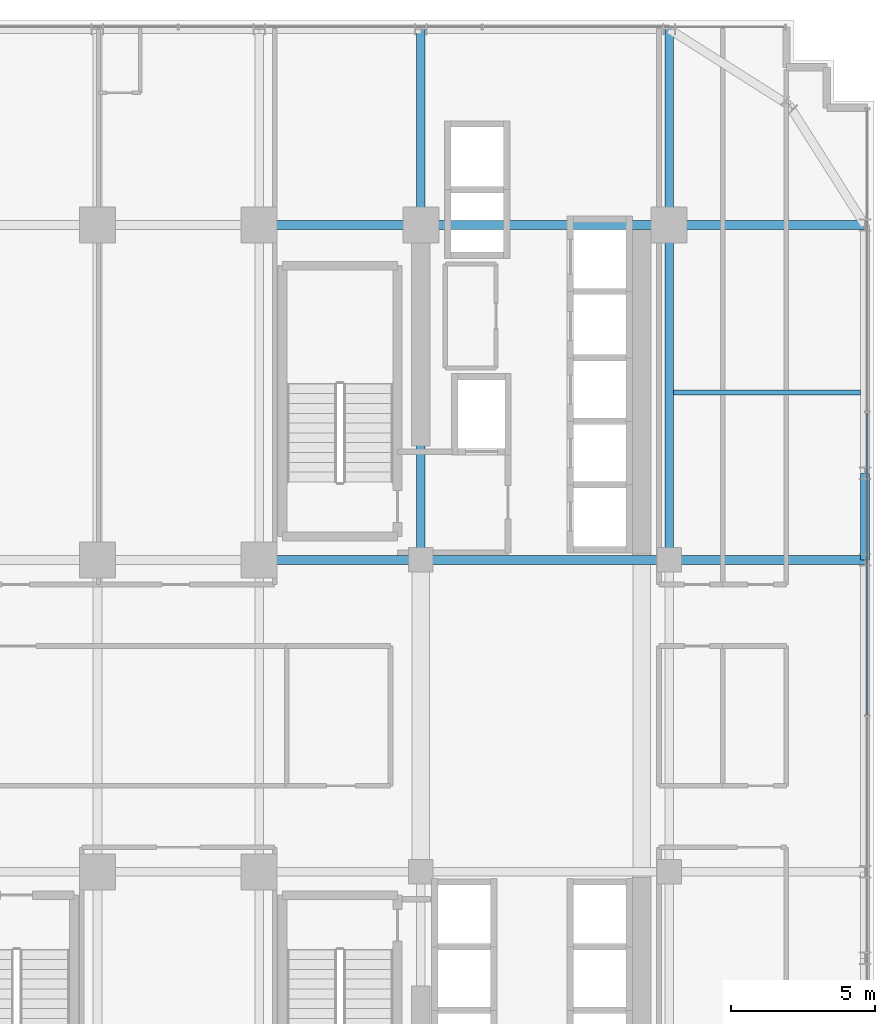
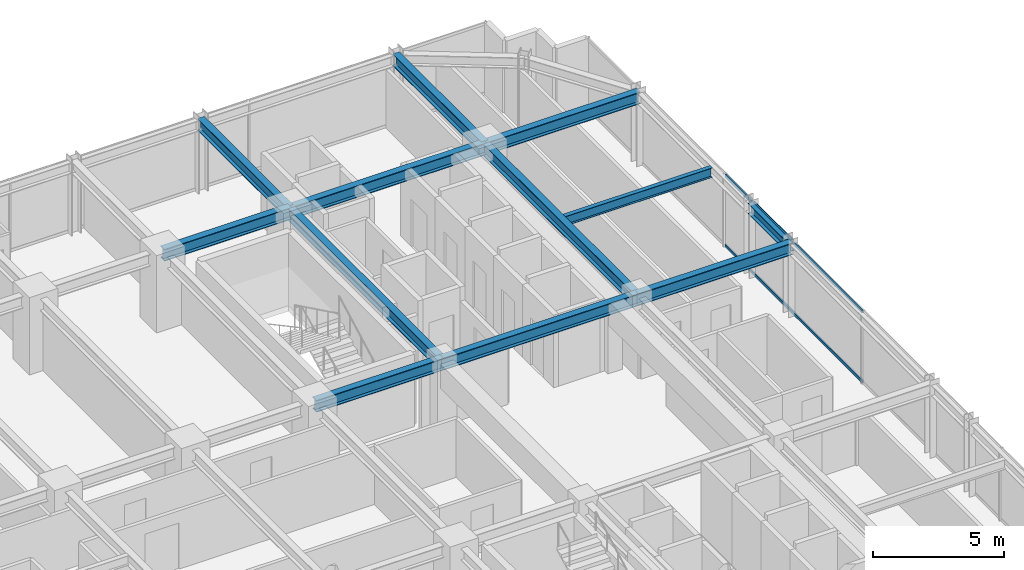
# One storey, part 21 of 32: 12 beams, 2 members, 1 element without a shape of its own.
"""IFC4 building model written with IfcOpenShell, lengths in metres."""

import ifcopenshell
import ifcopenshell.guid

model = None  # the IFC model being written
_history = None  # IfcOwnerHistory: only IFC2X3 demands one
_inside = {}  # id of a spatial element -> (the spatial element, [elements in it])
_under = {}  # id of a project, library or spatial element -> (it, [spatial elements below it])
_declared = {}  # id of a project -> (the project, [libraries it declares])
_typed = {}  # id of a type object -> (the type object, [elements of that type])
_made_of = {}  # id of a material, layer set ... -> (it, [elements and type objects made of it])


def new_model(schema):
    """Start an empty IFC model of exactly this schema.

    Asked for "IFC4X3", IfcOpenShell would pick the latest addendum, in which some entities
    have other attributes; the version numbers below select the first issue.
    IFC2X3 requires an IfcOwnerHistory on every rooted entity: one is made here for all.
    """
    global model, _history
    if schema == "IFC4X3":
        model = ifcopenshell.file(schema_version=(4, 3, 0, 0))
    else:
        model = ifcopenshell.file(schema=schema)
    _inside.clear()
    _under.clear()
    _declared.clear()
    _typed.clear()
    _made_of.clear()
    _history = None
    if model.schema == "IFC2X3":
        org = make("IfcOrganization", Name="unknown")
        user = make(
            "IfcPersonAndOrganization",
            ThePerson=make("IfcPerson", FamilyName="unknown"),
            TheOrganization=org,
        )
        app = make(
            "IfcApplication",
            ApplicationDeveloper=org,
            Version="unknown",
            ApplicationFullName="unknown",
            ApplicationIdentifier="unknown",
        )
        _history = make(
            "IfcOwnerHistory",
            OwningUser=user,
            OwningApplication=app,
            ChangeAction="ADDED",
            CreationDate=0,
        )
    return model


def make(cls, **values):
    """One entity of the class cls with the attributes given. An attribute that is None is left unset."""
    return model.create_entity(
        cls, **{name: value for name, value in values.items() if value is not None}
    )


def rooted(cls, **values):
    """An entity with a GlobalId (a new one), such as an element, a storey or a relation."""
    return make(cls, GlobalId=ifcopenshell.guid.new(), OwnerHistory=_history, **values)


def si_unit(unit_type, name, prefix=None):
    """IfcSIUnit, for example si_unit("LENGTHUNIT", "METRE", prefix="MILLI")."""
    return make("IfcSIUnit", UnitType=unit_type, Prefix=prefix, Name=name)


def assignment(units):
    """IfcUnitAssignment: the units of a project."""
    return None if units is None else make("IfcUnitAssignment", Units=units)


def point(xyz):
    """IfcCartesianPoint."""
    return None if xyz is None else make("IfcCartesianPoint", Coordinates=xyz)


def direction(xyz):
    """IfcDirection."""
    return None if xyz is None else make("IfcDirection", DirectionRatios=xyz)


def frame(location, z_axis=None, x_axis=None):
    """IfcAxis2Placement3D, a coordinate frame: its origin and axes. An axis left out is left unset."""
    return make(
        "IfcAxis2Placement3D",
        Location=point(location),
        Axis=direction(z_axis),
        RefDirection=direction(x_axis),
    )


def frame_2d(location, x_axis=None):
    """IfcAxis2Placement2D, a coordinate frame in the plane: its origin and x axis."""
    return make(
        "IfcAxis2Placement2D", Location=point(location), RefDirection=direction(x_axis)
    )


def origin():
    """The frame at (0, 0, 0) with its axes left unset."""
    return frame((0.0, 0.0, 0.0))


def origin_2d():
    """The frame at (0, 0) in the plane with its x axis left unset."""
    return frame_2d((0.0, 0.0))


def place(relative_to, where):
    """IfcLocalPlacement: puts the frame where relative to a parent placement (None: the world)."""
    return make(
        "IfcLocalPlacement", PlacementRelTo=relative_to, RelativePlacement=where
    )


def context(
    kind, dimensions, precision=None, world=None, true_north=None, identifier=None
):
    """IfcGeometricRepresentationContext, for example the 3D "Model" context."""
    return make(
        "IfcGeometricRepresentationContext",
        ContextIdentifier=identifier,
        ContextType=kind,
        CoordinateSpaceDimension=dimensions,
        Precision=precision,
        WorldCoordinateSystem=world,
        TrueNorth=true_north,
    )


def subcontext(parent, identifier, kind, view, scale=None):
    """IfcGeometricRepresentationSubContext, for example "Body" below "Model"."""
    return make(
        "IfcGeometricRepresentationSubContext",
        ContextIdentifier=identifier,
        ContextType=kind,
        ParentContext=parent,
        TargetScale=scale,
        TargetView=view,
    )


def project(units=None, contexts=None):
    """IfcProject with its units and contexts."""
    return rooted(
        "IfcProject",
        Name="project",
        RepresentationContexts=contexts,
        UnitsInContext=assignment(units),
    )


def spatial(cls, under=None, at=None, **own):
    """A site, building, storey or space (cls), placed at a placement, below another one or the project."""
    s = rooted(cls, ObjectPlacement=at, **own)
    if under is not None:
        _under.setdefault(under.id(), (under, []))[1].append(s)
    return s


def profile(cls, at=None, kind="AREA", **sizes):
    """A parametric profile (cls). Its sizes go by their IFC names, for example OverallWidth=200.0."""
    return make(cls, ProfileType=kind, Position=at, **sizes)


def hollow_rectangle(**sizes):
    """IfcRectangleHollowProfileDef."""
    return profile("IfcRectangleHollowProfileDef", **sizes)


def i_section(**sizes):
    """IfcIShapeProfileDef."""
    return profile("IfcIShapeProfileDef", **sizes)


def extrude(swept, where, along, depth):
    """IfcExtrudedAreaSolid: the profile swept, set in the frame where, extruded along a direction by depth."""
    return make(
        "IfcExtrudedAreaSolid",
        SweptArea=swept,
        Position=where,
        ExtrudedDirection=direction(along),
        Depth=depth,
    )


def shape(context_of_items, identifier, shape_type, items):
    """IfcShapeRepresentation: the items that make up one representation, for example the "Body"."""
    return make(
        "IfcShapeRepresentation",
        ContextOfItems=context_of_items,
        RepresentationIdentifier=identifier,
        RepresentationType=shape_type,
        Items=items,
    )


def source(mapping_origin, context_of_items, identifier, shape_type, items):
    """IfcRepresentationMap: a shape defined once, which mapped items show again and again."""
    return make(
        "IfcRepresentationMap",
        MappingOrigin=mapping_origin,
        MappedRepresentation=shape(context_of_items, identifier, shape_type, items),
    )


def transform(
    local_origin,
    x_axis=None,
    y_axis=None,
    z_axis=None,
    scale=None,
    scale2=None,
    scale3=None,
    uniform=True,
):
    """IfcCartesianTransformationOperator3D, or its non-uniform kind. x_axis, y_axis, z_axis: its Axis1, 2, 3."""
    if uniform:
        return make(
            "IfcCartesianTransformationOperator3D",
            Axis1=direction(x_axis),
            Axis2=direction(y_axis),
            LocalOrigin=point(local_origin),
            Scale=scale,
            Axis3=direction(z_axis),
        )
    return make(
        "IfcCartesianTransformationOperator3DnonUniform",
        Axis1=direction(x_axis),
        Axis2=direction(y_axis),
        LocalOrigin=point(local_origin),
        Scale=scale,
        Axis3=direction(z_axis),
        Scale2=scale2,
        Scale3=scale3,
    )


def mapped(mapping_source, mapping_target):
    """IfcMappedItem: shows the shape of a source again, moved by a transform."""
    return make(
        "IfcMappedItem", MappingSource=mapping_source, MappingTarget=mapping_target
    )


def material(Name=None, Category=None):
    """IfcMaterial."""
    return make("IfcMaterial", Name=Name, Category=Category)


def material_profile(
    of_material, cross_section, Name=None, Category=None, Priority=None
):
    """IfcMaterialProfile: a cross section and its material."""
    return make(
        "IfcMaterialProfile",
        Name=Name,
        Material=of_material,
        Profile=cross_section,
        Priority=Priority,
        Category=Category,
    )


def profile_set(profiles, Name=None, composite=None):
    """IfcMaterialProfileSet."""
    return make(
        "IfcMaterialProfileSet",
        Name=Name,
        MaterialProfiles=profiles,
        CompositeProfile=composite,
    )


def made_of(thing, what):
    """Note that an element or type object is made of a material, layer set ...; save() writes the relation."""
    if what is not None:
        _made_of.setdefault(what.id(), (what, []))[1].append(thing)
    return thing


def type_object(cls, material=None, **own):
    """A type object (cls), such as IfcWallType, which elements share."""
    return made_of(rooted(cls, **own), material)


def element(
    cls,
    number,
    at=None,
    inside=None,
    cuts=None,
    type_object=None,
    material=None,
    context=None,
    identifier="Body",
    shape_type=None,
    held_by="IfcProductDefinitionShape",
    body=None,
    shapes=None,
    **own,
):
    """One element of the class cls, such as IfcWall. Its Tag is "e" and its number.

    at: its placement. inside: the storey or other place that contains it. cuts: it is an
    opening in that element (IfcRelVoidsElement). A single representation is given by context,
    identifier, shape_type and body (its items); several are given by shapes. held_by: the class
    of the entity that holds the representations. save() writes the other relations.
    """
    e = rooted(cls, Tag="e%d" % number, ObjectPlacement=at, **own)
    if body is not None:
        shapes = [shape(context, identifier, shape_type, body)]
    if shapes is not None:
        e.Representation = make(held_by, Representations=shapes)
    if inside is not None:
        _inside.setdefault(inside.id(), (inside, []))[1].append(e)
    if cuts is not None:
        rooted(
            "IfcRelVoidsElement", RelatingBuildingElement=cuts, RelatedOpeningElement=e
        )
    if type_object is not None:
        _typed.setdefault(type_object.id(), (type_object, []))[1].append(e)
    return made_of(e, material)


def aggregate(whole, parts):
    """IfcRelAggregates: a whole, such as a stair, and the parts it consists of."""
    return rooted("IfcRelAggregates", RelatingObject=whole, RelatedObjects=parts)


def save(model, path):
    """Write the relations noted so far, then the file.

    IfcRelAggregates (storeys below a building ...), IfcRelContainedInSpatialStructure (elements
    in a storey), IfcRelDefinesByType, IfcRelAssociatesMaterial and IfcRelDeclares: one each for
    every whole, place, type object, material and project.
    """
    for whole, parts in _under.values():
        aggregate(whole, parts)
    for where, things in _inside.values():
        rooted(
            "IfcRelContainedInSpatialStructure",
            RelatedElements=things,
            RelatingStructure=where,
        )
    for kind, things in _typed.values():
        rooted("IfcRelDefinesByType", RelatedObjects=things, RelatingType=kind)
    for what, things in _made_of.values():
        rooted("IfcRelAssociatesMaterial", RelatedObjects=things, RelatingMaterial=what)
    for by, libraries in _declared.values():
        rooted("IfcRelDeclares", RelatingContext=by, RelatedDefinitions=libraries)
    model.write(path)


model = new_model("IFC4")

# Units and contexts
model_context = context("Model", 3, precision=1e-05, world=origin(), true_north=direction((0.0, 1.0)))
body_context = subcontext(model_context, "Body", "Model", "MODEL_VIEW")
ifc_project = project(units=[si_unit("LENGTHUNIT", "METRE"), si_unit("AREAUNIT", "SQUARE_METRE"), si_unit("VOLUMEUNIT", "CUBIC_METRE"), si_unit("PLANEANGLEUNIT", "RADIAN"), si_unit("MASSUNIT", "GRAM", prefix="KILO")], contexts=[model_context])

# Site, building, storey
site_placement = place(None, origin())
site = spatial("IfcSite", under=ifc_project, at=site_placement, CompositionType="ELEMENT")
building_placement = place(site_placement, origin())
building = spatial("IfcBuilding", under=site, at=building_placement, Name="Nahalor Promenade Grand Hotel", CompositionType="ELEMENT")
storey_placement = place(building_placement, frame((0.0, 0.0, 124.800048828125)))
storey = spatial("IfcBuildingStorey", under=building, at=storey_placement, Name="L31", CompositionType="ELEMENT", Elevation=124.800048828125)

# Beams
ifc_material_1 = material(Name="Steel S355JR", Category="steel")
ifc_material_profile_1 = material_profile(ifc_material_1, i_section(OverallWidth=0.3, OverallDepth=0.5, WebThickness=0.0145, FlangeThickness=0.028, at=origin_2d()), Name="HEB 500")
ifc_profile_set_1 = profile_set([ifc_material_profile_1], Name="Steel S355JR")
beam_type_1 = type_object("IfcBeamType", Name="Beam-Spandrel-HEB500", PredefinedType="SPANDREL", material=ifc_profile_set_1)
shared_shape_1 = source(origin(), body_context, "Body", "SweptSolid", [
    extrude(i_section(OverallWidth=0.3, OverallDepth=0.5, WebThickness=0.0145, FlangeThickness=0.028, at=origin_2d()), origin(), (0.0, 0.0, 1.0), 3.0),
])
beam_1_placement = place(storey_placement, frame((23.780029296875, 5.39990234375, 3.1298828125), z_axis=(0.0, 1.0, 0.0), x_axis=(-1.0, 0.0, 0.0)))
element("IfcBeam", 1, at=beam_1_placement, inside=storey, type_object=beam_type_1, Name="BM-L31-SP-E-3", PredefinedType="SPANDREL", context=body_context, shape_type="MappedRepresentation", body=[
    mapped(shared_shape_1, transform((0.0, 0.0, 0.0), scale=1.0)),
])
ifc_material_profile_2 = material_profile(ifc_material_1, i_section(OverallWidth=0.3, OverallDepth=0.55, WebThickness=0.015, FlangeThickness=0.029, at=origin_2d()), Name="HEB 550")
ifc_profile_set_2 = profile_set([ifc_material_profile_2], Name="Steel S355JR")
beam_type_2 = type_object("IfcBeamType", Name="Beam-Girder-HEB550", PredefinedType="BEAM", material=ifc_profile_set_2)
shared_shape_2 = source(origin(), body_context, "Body", "SweptSolid", [
    extrude(i_section(OverallWidth=0.3, OverallDepth=0.55, WebThickness=0.015, FlangeThickness=0.029, at=origin_2d()), origin(), (0.0, 0.0, 1.0), 6.780029296875),
])
for number, where, z_axis, x_axis, name in (
    (2, (17.0, 5.39990234375, 3.10498046875), (1.0, 0.0, 0.0), (0.0, 1.0, 0.0), "BM-L31-GX-2-6"),
    (3, (17.0, 17.0, 3.10498046875), (1.0, 0.0, 0.0), (0.0, 1.0, 0.0), "BM-L31-GX-3-6"),
    (4, (8.39990234375, 17.0, 3.10498046875), (0.0, 1.0, 0.0), (-1.0, 0.0, 0.0), "BM-L31-GY-4-4"),
    (5, (17.0, 17.0, 3.10498046875), (0.0, 1.0, 0.0), (-1.0, 0.0, 0.0), "BM-L31-GY-5-4"),
):
    element("IfcBeam", number, at=place(storey_placement, frame(where, z_axis=z_axis, x_axis=x_axis)), inside=storey, type_object=beam_type_2, Name=name, PredefinedType="BEAM", context=body_context, shape_type="MappedRepresentation", body=[
        mapped(shared_shape_2, transform((0.0, 0.0, 0.0), scale=1.0)),
    ])
shared_shape_3 = source(origin(), body_context, "Body", "SweptSolid", [
    extrude(i_section(OverallWidth=0.3, OverallDepth=0.55, WebThickness=0.015, FlangeThickness=0.029, at=origin_2d()), origin(), (0.0, 0.0, 1.0), 8.60009765625),
])
for number, where, z_axis, x_axis, name in (
    (6, (8.39990234375, 5.39990234375, 3.10498046875), (1.0, 0.0, 0.0), (0.0, 1.0, 0.0), "BM-L31-GX-2-5"),
    (7, (8.39990234375, 17.0, 3.10498046875), (1.0, 0.0, 0.0), (0.0, 1.0, 0.0), "BM-L31-GX-3-5"),
):
    element("IfcBeam", number, at=place(storey_placement, frame(where, z_axis=z_axis, x_axis=x_axis)), inside=storey, type_object=beam_type_2, Name=name, PredefinedType="BEAM", context=body_context, shape_type="MappedRepresentation", body=[
        mapped(shared_shape_3, transform((0.0, 0.0, 0.0), scale=1.0)),
    ])
shared_shape_4 = source(origin(), body_context, "Body", "SweptSolid", [
    extrude(i_section(OverallWidth=0.3, OverallDepth=0.55, WebThickness=0.015, FlangeThickness=0.029, at=origin_2d()), origin(), (0.0, 0.0, 1.0), 5.599853515625),
])
for number, where, z_axis, x_axis, name in (
    (8, (2.800048828125, 5.39990234375, 3.10498046875), (1.0, 0.0, 0.0), (0.0, 1.0, 0.0), "BM-L31-GX-2-4"),
    (9, (2.800048828125, 17.0, 3.10498046875), (1.0, 0.0, 0.0), (0.0, 1.0, 0.0), "BM-L31-GX-3-4"),
):
    element("IfcBeam", number, at=place(storey_placement, frame(where, z_axis=z_axis, x_axis=x_axis)), inside=storey, type_object=beam_type_2, Name=name, PredefinedType="BEAM", context=body_context, shape_type="MappedRepresentation", body=[
        mapped(shared_shape_4, transform((0.0, 0.0, 0.0), scale=1.0)),
    ])
shared_shape_5 = source(origin(), body_context, "Body", "SweptSolid", [
    extrude(i_section(OverallWidth=0.3, OverallDepth=0.55, WebThickness=0.015, FlangeThickness=0.029, at=origin_2d()), origin(), (0.0, 0.0, 1.0), 11.60009765625),
])
for number, where, z_axis, x_axis, name in (
    (10, (8.39990234375, 5.39990234375, 3.10498046875), (0.0, 1.0, 0.0), (-1.0, 0.0, 0.0), "BM-L31-GY-4-3"),
    (11, (17.0, 5.39990234375, 3.10498046875), (0.0, 1.0, 0.0), (-1.0, 0.0, 0.0), "BM-L31-GY-5-3"),
):
    element("IfcBeam", number, at=place(storey_placement, frame(where, z_axis=z_axis, x_axis=x_axis)), inside=storey, type_object=beam_type_2, Name=name, PredefinedType="BEAM", context=body_context, shape_type="MappedRepresentation", body=[
        mapped(shared_shape_5, transform((0.0, 0.0, 0.0), scale=1.0)),
    ])
ifc_material_profile_3 = material_profile(ifc_material_1, i_section(OverallWidth=0.19, OverallDepth=0.45, WebThickness=0.0094, FlangeThickness=0.0146, at=origin_2d()), Name="IPE 450")
ifc_profile_set_3 = profile_set([ifc_material_profile_3], Name="Steel S355JR")
beam_type_3 = type_object("IfcBeamType", Name="Beam-Joist-IPE450", PredefinedType="JOIST", material=ifc_profile_set_3)
shared_shape_6 = source(origin(), body_context, "Body", "SweptSolid", [
    extrude(i_section(OverallWidth=0.19, OverallDepth=0.45, WebThickness=0.0094, FlangeThickness=0.0146, at=origin_2d()), origin(), (0.0, 0.0, 1.0), 6.47998046875),
])
beam_2_placement = place(storey_placement, frame((17.14990234375, 11.199951171875, 3.155029296875), z_axis=(1.0, 0.0, 0.0), x_axis=(0.0, 1.0, 0.0)))
element("IfcBeam", 12, at=beam_2_placement, inside=storey, type_object=beam_type_3, Name="BM-L31-JSE-1-2", PredefinedType="JOIST", context=body_context, shape_type="MappedRepresentation", body=[
    mapped(shared_shape_6, transform((0.0, 0.0, 0.0), scale=1.0)),
])

# Curtain wall, members
ifc_material_2 = material(Name="Anodised Bronze Aluminium EN AW-6063 T6", Category="aluminium")
curtain_wall_type = type_object("IfcCurtainWallType", Name="CW2 Typical Hotel Flush Bronze Unitised Curtain Wall", PredefinedType="USERDEFINED", material=ifc_material_2)
curtain_wall_placement = place(storey_placement, origin())
curtain_wall = element("IfcCurtainWall", 13, at=curtain_wall_placement, inside=storey, type_object=curtain_wall_type, Name="L31 Curtain Wall CW-L31-E-1", ObjectType="UNITISED_CURTAIN_WALL", PredefinedType="USERDEFINED")
ifc_material_profile_4 = material_profile(ifc_material_2, hollow_rectangle(XDim=0.065, YDim=0.13, WallThickness=0.004, at=origin_2d()), Name="CWT 65x130x4")
ifc_profile_set_4 = profile_set([ifc_material_profile_4], Name="Anodised Bronze Aluminium EN AW-6063 T6")
member_type = type_object("IfcMemberType", Name="CWT2 Typical Bronze Transom 65x130", PredefinedType="USERDEFINED", material=ifc_profile_set_4)
shared_shape_7 = source(origin(), body_context, "Body", "SweptSolid", [
    extrude(hollow_rectangle(XDim=0.065, YDim=0.13, WallThickness=0.004, at=origin_2d()), origin(), (0.0, 0.0, 1.0), 10.465087890625),
])
member_1_placement = place(storey_placement, frame((23.860107421875, 0.032470703125, 0.06494140625), z_axis=(0.0, 1.0, 0.0), x_axis=(-1.0, 0.0, 0.0)))
member_1 = element("IfcMember", 14, at=member_1_placement, type_object=member_type, Name="CW-L31-E-1 Transom 2-0", ObjectType="TRANSOM", PredefinedType="USERDEFINED", context=body_context, shape_type="MappedRepresentation", body=[
    mapped(shared_shape_7, transform((0.0, 0.0, 0.0), scale=1.0)),
])
member_2_placement = place(storey_placement, frame((23.860107421875, 0.032470703125, 3.31494140625), z_axis=(0.0, 1.0, 0.0), x_axis=(-1.0, 0.0, 0.0)))
member_2 = element("IfcMember", 15, at=member_2_placement, type_object=member_type, Name="CW-L31-E-1 Transom 2-1", ObjectType="TRANSOM", PredefinedType="USERDEFINED", context=body_context, shape_type="MappedRepresentation", body=[
    mapped(shared_shape_7, transform((0.0, 0.0, 0.0), scale=1.0)),
])
aggregate(curtain_wall, [member_1, member_2])

save(model, "model.ifc")
